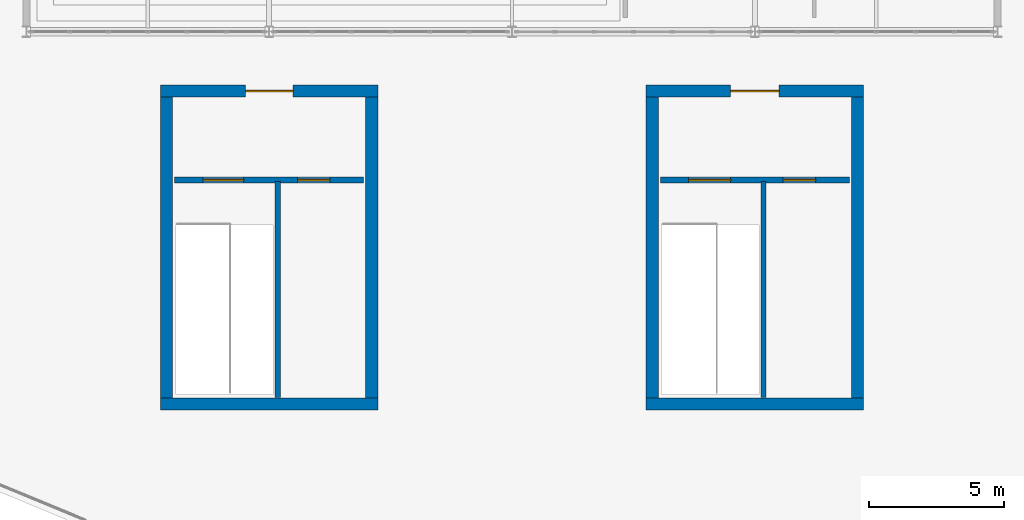
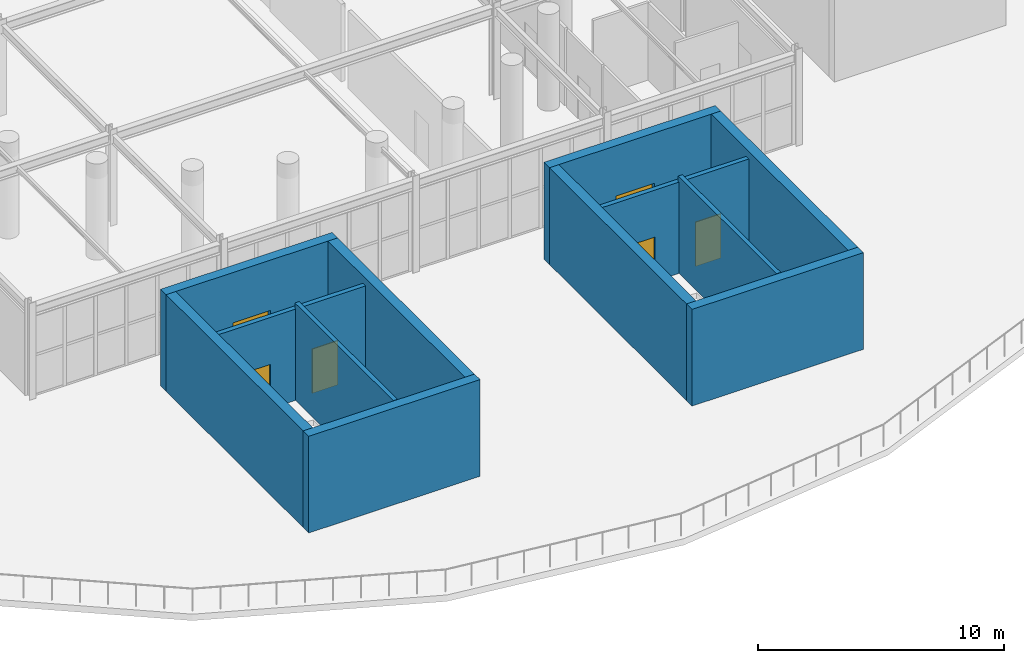
# One storey, part 20 of 29: 12 walls, 6 doors, 6 openings.
"""IFC4 building model written with IfcOpenShell, lengths in metres."""

from ifc_helpers import new_model, si_unit, direction, frame, frame_2d, origin, place, context, subcontext, project, spatial, rectangle, extrude, material, layer, layer_set, type_object, element, fill, save


model = new_model("IFC4")

# Units and contexts
model_context = context("Model", 3, precision=1e-05, world=origin(), true_north=direction((0.0, 1.0)))
body_context = subcontext(model_context, "Body", "Model", "MODEL_VIEW")
ifc_project = project(units=[si_unit("LENGTHUNIT", "METRE"), si_unit("AREAUNIT", "SQUARE_METRE"), si_unit("VOLUMEUNIT", "CUBIC_METRE"), si_unit("PLANEANGLEUNIT", "RADIAN"), si_unit("MASSUNIT", "GRAM", prefix="KILO")], contexts=[model_context])

# Site, building, storey
site_placement = place(None, origin())
site = spatial("IfcSite", under=ifc_project, at=site_placement, CompositionType="ELEMENT")
building_placement = place(site_placement, origin())
building = spatial("IfcBuilding", under=site, at=building_placement, Name="Dornveld Trade and Exhibition Forum", CompositionType="ELEMENT")
storey_placement = place(building_placement, frame((0.0, 0.0, 21.60009765625)))
storey = spatial("IfcBuildingStorey", under=building, at=storey_placement, Name="L04", CompositionType="ELEMENT", Elevation=21.60009765625)

# Wall
ifc_material_1 = material(Name="Concrete C40/50", Category="concrete")
ifc_layer_1 = layer(ifc_material_1, 0.449951171875)
ifc_layer_set_1 = layer_set([ifc_layer_1], Name="Concrete C40/50")
wall_type_1 = type_object("IfcWallType", Name="WL-CORE-450", PredefinedType="SHEAR", material=ifc_layer_set_1)
wall_1_placement = place(storey_placement, frame((103.97509765625, 49.199951171875, 0.0), z_axis=(0.0, 0.0, 1.0), x_axis=(1.0, 0.0, 0.0)))
element("IfcWall", 1, at=wall_1_placement, inside=storey, type_object=wall_type_1, Name="CORE-06 L04 shear wall S", PredefinedType="SHEAR", context=body_context, shape_type="SweptSolid", body=[
    extrude(rectangle(XDim=8.0498046875, YDim=0.449951171875, at=frame_2d((4.02490234375, 0.0))), origin(), (0.0, 0.0, 1.0), 4.7998046875),
])

# Wall, opening, door
wall_2_placement = place(storey_placement, frame((103.97509765625, 60.800048828125, 0.0), z_axis=(0.0, 0.0, 1.0), x_axis=(1.0, 0.0, 0.0)))
wall_2 = element("IfcWall", 2, at=wall_2_placement, inside=storey, type_object=wall_type_1, Name="CORE-06 L04 shear wall N", PredefinedType="SHEAR", context=body_context, shape_type="SweptSolid", body=[
    extrude(rectangle(XDim=8.0498046875, YDim=0.449951171875, at=frame_2d((4.02490234375, 0.0))), origin(), (0.0, 0.0, 1.0), 4.7998046875),
])
opening_1_placement = place(wall_2_placement, frame((3.14990234375, 0.0, 0.0)))
opening_1 = element("IfcOpeningElement", 3, at=opening_1_placement, cuts=wall_2, Name="Opening CD-06-L04", PredefinedType="OPENING", context=body_context, shape_type="SweptSolid", body=[
    extrude(rectangle(XDim=1.75, YDim=2.300048828125, at=frame_2d((0.875, 1.14990234375))), frame((0.0, 0.23486328125, 0.0), z_axis=(0.0, -1.0, 0.0), x_axis=(1.0, 0.0, 0.0)), (0.0, 0.0, 1.0), 0.469970703125),
])
ifc_material_2 = material(Name="Steel fire-rated double door assembly", Category="steel")
door_type_1 = type_object("IfcDoorType", Name="DR-CORE-175x230", OperationType="NOTDEFINED", PredefinedType="DOOR", material=ifc_material_2)
door_1_placement = place(opening_1_placement, frame((1.75, 0.0, 0.0), z_axis=(0.0, 0.0, 1.0), x_axis=(-1.0, 0.0, 0.0)))
door_1 = element("IfcDoor", 4, at=door_1_placement, inside=storey, type_object=door_type_1, Name="CORE-06 L04 core lobby double fire door", OperationType="DOUBLE_DOOR_SINGLE_SWING", OverallHeight=2.300048828125, OverallWidth=1.75, PredefinedType="DOOR", context=body_context, shape_type="SweptSolid", body=[
    extrude(rectangle(XDim=1.75, YDim=2.300048828125, at=frame_2d((0.875, 1.14990234375))), frame((0.0, 0.02490234375, 0.0), z_axis=(0.0, -1.0, 0.0), x_axis=(1.0, 0.0, 0.0)), (0.0, 0.0, 1.0), 0.050048828125),
])
fill(opening_1, door_1)

# Walls
for number, where, z_axis, x_axis, name in (
    (5, (104.199951171875, 49.425048828125, 0.0), (0.0, 0.0, 1.0), (0.0, 1.0, 0.0), "CORE-06 L04 shear wall W"),
    (6, (111.800048828125, 49.425048828125, 0.0), (0.0, 0.0, 1.0), (0.0, 1.0, 0.0), "CORE-06 L04 shear wall E"),
):
    element("IfcWall", number, at=place(storey_placement, frame(where, z_axis=z_axis, x_axis=x_axis)), inside=storey, type_object=wall_type_1, Name=name, PredefinedType="SHEAR", context=body_context, shape_type="SweptSolid", body=[
        extrude(rectangle(XDim=11.14990234375, YDim=0.449951171875, at=frame_2d((5.574951171875, 0.0))), origin(), (0.0, 0.0, 1.0), 4.7998046875),
    ])
wall_3_placement = place(storey_placement, frame((121.97509765625, 49.199951171875, 0.0), z_axis=(0.0, 0.0, 1.0), x_axis=(1.0, 0.0, 0.0)))
element("IfcWall", 7, at=wall_3_placement, inside=storey, type_object=wall_type_1, Name="CORE-07 L04 shear wall S", PredefinedType="SHEAR", context=body_context, shape_type="SweptSolid", body=[
    extrude(rectangle(XDim=8.0498046875, YDim=0.449951171875, at=frame_2d((4.02490234375, 0.0))), origin(), (0.0, 0.0, 1.0), 4.7998046875),
])

# Wall, opening, door
wall_4_placement = place(storey_placement, frame((121.97509765625, 60.800048828125, 0.0), z_axis=(0.0, 0.0, 1.0), x_axis=(1.0, 0.0, 0.0)))
wall_4 = element("IfcWall", 8, at=wall_4_placement, inside=storey, type_object=wall_type_1, Name="CORE-07 L04 shear wall N", PredefinedType="SHEAR", context=body_context, shape_type="SweptSolid", body=[
    extrude(rectangle(XDim=8.0498046875, YDim=0.449951171875, at=frame_2d((4.02490234375, 0.0))), origin(), (0.0, 0.0, 1.0), 4.7998046875),
])
opening_2_placement = place(wall_4_placement, frame((3.125, 0.0, 0.0)))
opening_2 = element("IfcOpeningElement", 9, at=opening_2_placement, cuts=wall_4, Name="Opening CD-07-L04", PredefinedType="OPENING", context=body_context, shape_type="SweptSolid", body=[
    extrude(rectangle(XDim=1.800048828125, YDim=2.300048828125, at=frame_2d((0.89990234375, 1.14990234375))), frame((0.0, 0.23486328125, 0.0), z_axis=(0.0, -1.0, 0.0), x_axis=(1.0, 0.0, 0.0)), (0.0, 0.0, 1.0), 0.469970703125),
])
ifc_material_3 = material(Name="Steel fire-rated double door assembly", Category="steel")
door_type_2 = type_object("IfcDoorType", Name="DR-CORE-180x230", OperationType="NOTDEFINED", PredefinedType="DOOR", material=ifc_material_3)
door_2_placement = place(opening_2_placement, frame((1.800048828125, 0.0, 0.0), z_axis=(0.0, 0.0, 1.0), x_axis=(-1.0, 0.0, 0.0)))
door_2 = element("IfcDoor", 10, at=door_2_placement, inside=storey, type_object=door_type_2, Name="CORE-07 L04 core lobby double fire door", OperationType="DOUBLE_DOOR_SINGLE_SWING", OverallHeight=2.300048828125, OverallWidth=1.800048828125, PredefinedType="DOOR", context=body_context, shape_type="SweptSolid", body=[
    extrude(rectangle(XDim=1.800048828125, YDim=2.300048828125, at=frame_2d((0.89990234375, 1.14990234375))), frame((0.0, 0.02490234375, 0.0), z_axis=(0.0, -1.0, 0.0), x_axis=(1.0, 0.0, 0.0)), (0.0, 0.0, 1.0), 0.050048828125),
])
fill(opening_2, door_2)

# Walls
for number, where, z_axis, x_axis, name in (
    (11, (122.199951171875, 49.425048828125, 0.0), (0.0, 0.0, 1.0), (0.0, 1.0, 0.0), "CORE-07 L04 shear wall W"),
    (12, (129.800048828125, 49.425048828125, 0.0), (0.0, 0.0, 1.0), (0.0, 1.0, 0.0), "CORE-07 L04 shear wall E"),
):
    element("IfcWall", number, at=place(storey_placement, frame(where, z_axis=z_axis, x_axis=x_axis)), inside=storey, type_object=wall_type_1, Name=name, PredefinedType="SHEAR", context=body_context, shape_type="SweptSolid", body=[
        extrude(rectangle(XDim=11.14990234375, YDim=0.449951171875, at=frame_2d((5.574951171875, 0.0))), origin(), (0.0, 0.0, 1.0), 4.7998046875),
    ])

# Wall, openings, doors
ifc_material_4 = material(Name="Concrete C40/50", Category="concrete")
ifc_layer_2 = layer(ifc_material_4, 0.219970703125)
ifc_layer_set_2 = layer_set([ifc_layer_2], Name="Concrete C40/50")
wall_type_2 = type_object("IfcWallType", Name="WL-INT-LOB220", PredefinedType="SOLIDWALL", material=ifc_layer_set_2)
wall_5_placement = place(storey_placement, frame((104.5, 57.5, 0.0), z_axis=(0.0, 0.0, 1.0), x_axis=(1.0, 0.0, 0.0)))
wall_5 = element("IfcWall", 13, at=wall_5_placement, inside=storey, type_object=wall_type_2, Name="CORE-06 L04 protected lobby bulkhead wall", PredefinedType="SOLIDWALL", context=body_context, shape_type="SweptSolid", body=[
    extrude(rectangle(XDim=7.0, YDim=0.219970703125, at=frame_2d((3.5, 0.0))), origin(), (0.0, 0.0, 1.0), 4.52978515625),
])
opening_3_placement = place(wall_5_placement, frame((1.050048828125, 0.0, 0.0)))
opening_3 = element("IfcOpeningElement", 14, at=opening_3_placement, cuts=wall_5, Name="Opening SD-06-L04", PredefinedType="OPENING", context=body_context, shape_type="SweptSolid", body=[
    extrude(rectangle(XDim=1.5, YDim=2.199951171875, at=frame_2d((0.75, 1.10009765625))), frame((0.0, 0.119873046875, 0.0), z_axis=(0.0, -1.0, 0.0), x_axis=(1.0, 0.0, 0.0)), (0.0, 0.0, 1.0), 0.239990234375),
])
opening_4_placement = place(wall_5_placement, frame((4.550048828125, 0.0, 0.0)))
opening_4 = element("IfcOpeningElement", 15, at=opening_4_placement, cuts=wall_5, Name="Opening LD-06-L04", PredefinedType="OPENING", context=body_context, shape_type="SweptSolid", body=[
    extrude(rectangle(XDim=1.199951171875, YDim=2.199951171875, at=frame_2d((0.60009765625, 1.10009765625))), frame((0.0, 0.119873046875, 0.0), z_axis=(0.0, -1.0, 0.0), x_axis=(1.0, 0.0, 0.0)), (0.0, 0.0, 1.0), 0.239990234375),
])
ifc_material_5 = material(Name="Brushed stainless steel sliding lift landing door", Category="steel")
door_type_3 = type_object("IfcDoorType", Name="DR-LIFT-120x220", OperationType="NOTDEFINED", PredefinedType="DOOR", material=ifc_material_5)
door_3_placement = place(opening_4_placement, origin())
door_3 = element("IfcDoor", 16, at=door_3_placement, inside=storey, type_object=door_type_3, Name="CORE-06 L04 lift sliding landing door", OperationType="SLIDING_TO_RIGHT", OverallHeight=2.199951171875, OverallWidth=1.199951171875, PredefinedType="DOOR", context=body_context, shape_type="SweptSolid", body=[
    extrude(rectangle(XDim=1.199951171875, YDim=2.199951171875, at=frame_2d((0.60009765625, 1.10009765625))), frame((0.0, 0.02490234375, 0.0), z_axis=(0.0, -1.0, 0.0), x_axis=(1.0, 0.0, 0.0)), (0.0, 0.0, 1.0), 0.050048828125),
])
fill(opening_4, door_3)
ifc_material_6 = material(Name="Steel fire-rated stair door assembly", Category="steel")
door_type_4 = type_object("IfcDoorType", Name="DR-STAIR-150x220", OperationType="NOTDEFINED", PredefinedType="DOOR", material=ifc_material_6)
door_4_placement = place(opening_3_placement, origin())
door_4 = element("IfcDoor", 17, at=door_4_placement, inside=storey, type_object=door_type_4, Name="CORE-06 L04 protected stair door", OperationType="SINGLE_SWING_RIGHT", OverallHeight=2.199951171875, OverallWidth=1.5, PredefinedType="DOOR", context=body_context, shape_type="SweptSolid", body=[
    extrude(rectangle(XDim=1.5, YDim=2.199951171875, at=frame_2d((0.75, 1.10009765625))), frame((0.0, 0.02490234375, 0.0), z_axis=(0.0, -1.0, 0.0), x_axis=(1.0, 0.0, 0.0)), (0.0, 0.0, 1.0), 0.050048828125),
])
fill(opening_3, door_4)

wall_6_placement = place(storey_placement, frame((122.5, 57.5, 0.0), z_axis=(0.0, 0.0, 1.0), x_axis=(1.0, 0.0, 0.0)))
wall_6 = element("IfcWall", 18, at=wall_6_placement, inside=storey, type_object=wall_type_2, Name="CORE-07 L04 protected lobby bulkhead wall", PredefinedType="SOLIDWALL", context=body_context, shape_type="SweptSolid", body=[
    extrude(rectangle(XDim=7.0, YDim=0.219970703125, at=frame_2d((3.5, 0.0))), origin(), (0.0, 0.0, 1.0), 4.52978515625),
])
opening_5_placement = place(wall_6_placement, frame((1.050048828125, 0.0, 0.0)))
opening_5 = element("IfcOpeningElement", 19, at=opening_5_placement, cuts=wall_6, Name="Opening SD-07-L04", PredefinedType="OPENING", context=body_context, shape_type="SweptSolid", body=[
    extrude(rectangle(XDim=1.550048828125, YDim=2.199951171875, at=frame_2d((0.77490234375, 1.10009765625))), frame((0.0, 0.119873046875, 0.0), z_axis=(0.0, -1.0, 0.0), x_axis=(1.0, 0.0, 0.0)), (0.0, 0.0, 1.0), 0.239990234375),
])
opening_6_placement = place(wall_6_placement, frame((4.550048828125, 0.0, 0.0)))
opening_6 = element("IfcOpeningElement", 20, at=opening_6_placement, cuts=wall_6, Name="Opening LD-07-L04", PredefinedType="OPENING", context=body_context, shape_type="SweptSolid", body=[
    extrude(rectangle(XDim=1.199951171875, YDim=2.199951171875, at=frame_2d((0.60009765625, 1.10009765625))), frame((0.0, 0.119873046875, 0.0), z_axis=(0.0, -1.0, 0.0), x_axis=(1.0, 0.0, 0.0)), (0.0, 0.0, 1.0), 0.239990234375),
])
door_5_placement = place(opening_6_placement, origin())
door_5 = element("IfcDoor", 21, at=door_5_placement, inside=storey, type_object=door_type_3, Name="CORE-07 L04 lift sliding landing door", OperationType="SLIDING_TO_LEFT", OverallHeight=2.199951171875, OverallWidth=1.199951171875, PredefinedType="DOOR", context=body_context, shape_type="SweptSolid", body=[
    extrude(rectangle(XDim=1.199951171875, YDim=2.199951171875, at=frame_2d((0.60009765625, 1.10009765625))), frame((0.0, 0.02490234375, 0.0), z_axis=(0.0, -1.0, 0.0), x_axis=(1.0, 0.0, 0.0)), (0.0, 0.0, 1.0), 0.050048828125),
])
fill(opening_6, door_5)
ifc_material_7 = material(Name="Steel fire-rated stair door assembly", Category="steel")
door_type_5 = type_object("IfcDoorType", Name="DR-STAIR-155x220", OperationType="NOTDEFINED", PredefinedType="DOOR", material=ifc_material_7)
door_6_placement = place(opening_5_placement, origin())
door_6 = element("IfcDoor", 22, at=door_6_placement, inside=storey, type_object=door_type_5, Name="CORE-07 L04 protected stair door", OperationType="SINGLE_SWING_LEFT", OverallHeight=2.199951171875, OverallWidth=1.550048828125, PredefinedType="DOOR", context=body_context, shape_type="SweptSolid", body=[
    extrude(rectangle(XDim=1.550048828125, YDim=2.199951171875, at=frame_2d((0.77490234375, 1.10009765625))), frame((0.0, 0.02490234375, 0.0), z_axis=(0.0, -1.0, 0.0), x_axis=(1.0, 0.0, 0.0)), (0.0, 0.0, 1.0), 0.050048828125),
])
fill(opening_5, door_6)

# Walls
ifc_material_8 = material(Name="Concrete C40/50", Category="concrete")
ifc_layer_3 = layer(ifc_material_8, 0.199951171875)
ifc_layer_set_3 = layer_set([ifc_layer_3], Name="Concrete C40/50")
wall_type_3 = type_object("IfcWallType", Name="WL-INT-SHAFT200", PredefinedType="SOLIDWALL", material=ifc_layer_set_3)
for number, where, z_axis, x_axis, name in (
    (23, (108.320068359375, 49.449951171875, 0.0), (0.0, 0.0, 1.0), (0.0, 1.0, 0.0), "CORE-06 L04 lift-stair structural shaft wall"),
    (24, (126.320068359375, 49.449951171875, 0.0), (0.0, 0.0, 1.0), (0.0, 1.0, 0.0), "CORE-07 L04 lift-stair structural shaft wall"),
):
    element("IfcWall", number, at=place(storey_placement, frame(where, z_axis=z_axis, x_axis=x_axis)), inside=storey, type_object=wall_type_3, Name=name, PredefinedType="SOLIDWALL", context=body_context, shape_type="SweptSolid", body=[
        extrude(rectangle(XDim=8.0, YDim=0.199951171875, at=frame_2d((4.0, 0.0))), origin(), (0.0, 0.0, 1.0), 4.7998046875),
    ])

save(model, "model.ifc")
